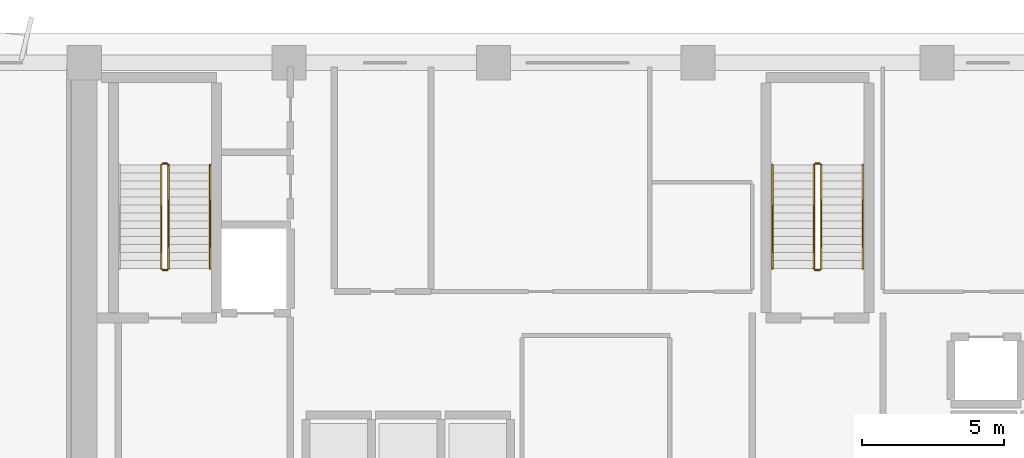
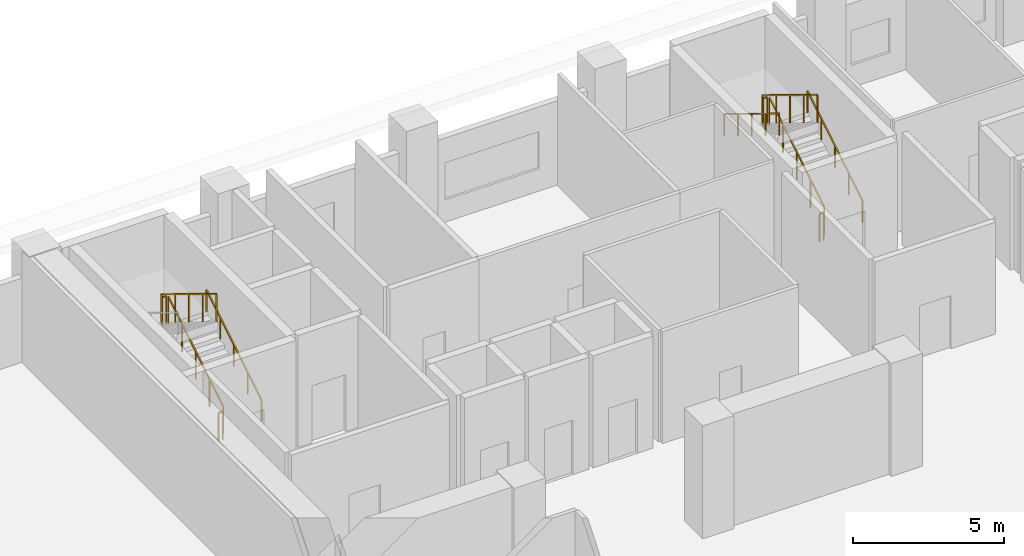
# One storey, part 35 of 37: 11 railings.
"""IFC4 building model written with IfcOpenShell, lengths in metres."""

from ifc_helpers import new_model, si_unit, direction, frame, origin, origin_2d, place, context, subcontext, project, spatial, rectangle, extrude, material, type_object, element, save


model = new_model("IFC4")

# Units and contexts
model_context = context("Model", 3, precision=1e-05, world=origin(), true_north=direction((0.0, 1.0)))
body_context = subcontext(model_context, "Body", "Model", "MODEL_VIEW")
ifc_project = project(units=[si_unit("LENGTHUNIT", "METRE"), si_unit("AREAUNIT", "SQUARE_METRE"), si_unit("VOLUMEUNIT", "CUBIC_METRE"), si_unit("PLANEANGLEUNIT", "RADIAN"), si_unit("MASSUNIT", "GRAM", prefix="KILO")], contexts=[model_context])

# Site, building, storey
site_placement = place(None, origin())
site = spatial("IfcSite", under=ifc_project, at=site_placement, CompositionType="ELEMENT")
building_placement = place(site_placement, origin())
building = spatial("IfcBuilding", under=site, at=building_placement, Name="Kaelvorn Grand Hotel", CompositionType="ELEMENT")
storey_placement = place(building_placement, frame((0.0, 0.0, 224.35009765625)))
storey = spatial("IfcBuildingStorey", under=building, at=storey_placement, Name="L55", CompositionType="ELEMENT", Elevation=224.35009765625)

# Railings
ifc_material = material(Name="Stainless Steel", Category="steel")
railing_type_1 = type_object("IfcRailingType", Name="RL-HANDRAIL-900", PredefinedType="HANDRAIL", material=ifc_material)
for number, where, name in (
    (1, (20.6298828125, 41.760009765625, 0.17138671875), "L55 ST1 stair handrail 1"),
    (2, (43.590087890625, 41.760009765625, 0.17138671875), "L55 ST2 stair handrail 1"),
):
    element("IfcRailing", number, at=place(storey_placement, frame(where)), inside=storey, type_object=railing_type_1, Name=name, PredefinedType="HANDRAIL", context=body_context, shape_type="SweptSolid", body=[
        extrude(rectangle(XDim=0.048095703125, YDim=0.048095703125, at=origin_2d()), frame((0.0, 0.0, 0.8759765625), z_axis=(0.0, 0.852850264322, 0.5221555579), x_axis=(-1.0, 0.0, 0.0)), (0.0, 0.0, 1.0), 4.267822265625),
        extrude(rectangle(XDim=0.0419921875, YDim=0.0419921875, at=origin_2d()), origin(), (0.0, 0.0, 1.0), 0.851806640625),
        extrude(rectangle(XDim=0.0419921875, YDim=0.0419921875, at=origin_2d()), frame((0.0, 0.909912109375, 0.55712890625)), (0.0, 0.0, 1.0), 0.851806640625),
        extrude(rectangle(XDim=0.0419921875, YDim=0.0419921875, at=origin_2d()), frame((0.0, 1.81982421875, 1.1142578125)), (0.0, 0.0, 1.0), 0.851806640625),
        extrude(rectangle(XDim=0.0419921875, YDim=0.0419921875, at=origin_2d()), frame((0.0, 2.72998046875, 1.67138671875)), (0.0, 0.0, 1.0), 0.851806640625),
        extrude(rectangle(XDim=0.0419921875, YDim=0.0419921875, at=origin_2d()), frame((0.0, 3.639892578125, 2.228515625)), (0.0, 0.0, 1.0), 0.851806640625),
    ])
railing_1_placement = place(storey_placement, frame((40.409912109375, 45.39990234375, 2.5712890625)))
element("IfcRailing", 3, at=railing_1_placement, inside=storey, type_object=railing_type_1, Name="L55 ST2 stair handrail 2", PredefinedType="HANDRAIL", context=body_context, shape_type="SweptSolid", body=[
    extrude(rectangle(XDim=0.048095703125, YDim=0.048095703125, at=origin_2d()), frame((0.0, 0.0, 0.8759765625), z_axis=(0.0, -0.852850264322, 0.5221555579), x_axis=(1.0, 0.0, 0.0)), (0.0, 0.0, 1.0), 4.267822265625),
    extrude(rectangle(XDim=0.0419921875, YDim=0.0419921875, at=origin_2d()), origin(), (0.0, 0.0, 1.0), 0.851806640625),
    extrude(rectangle(XDim=0.0419921875, YDim=0.0419921875, at=origin_2d()), frame((0.0, -0.909912109375, 0.55712890625)), (0.0, 0.0, 1.0), 0.851806640625),
    extrude(rectangle(XDim=0.0419921875, YDim=0.0419921875, at=origin_2d()), frame((0.0, -1.81982421875, 1.1142578125)), (0.0, 0.0, 1.0), 0.851806640625),
    extrude(rectangle(XDim=0.0419921875, YDim=0.0419921875, at=origin_2d()), frame((0.0, -2.72998046875, 1.67138671875)), (0.0, 0.0, 1.0), 0.851806640625),
    extrude(rectangle(XDim=0.0419921875, YDim=0.0419921875, at=origin_2d()), frame((0.0, -3.639892578125, 2.228515625)), (0.0, 0.0, 1.0), 0.851806640625),
])
railing_type_2 = type_object("IfcRailingType", Name="RL-STAIR-GUARD-1150", PredefinedType="BALUSTRADE", material=ifc_material)
railing_2_placement = place(storey_placement, frame((19.169921875, 41.760009765625, 0.17138671875)))
element("IfcRailing", 4, at=railing_2_placement, inside=storey, type_object=railing_type_2, Name="L55 ST1 stair guard 1", PredefinedType="BALUSTRADE", context=body_context, shape_type="SweptSolid", body=[
    extrude(rectangle(XDim=0.048095703125, YDim=0.048095703125, at=origin_2d()), frame((0.0, 0.0, 1.1259765625), z_axis=(0.0, 0.852850264322, 0.5221555579), x_axis=(-1.0, 0.0, 0.0)), (0.0, 0.0, 1.0), 4.267822265625),
    extrude(rectangle(XDim=0.0419921875, YDim=0.0419921875, at=origin_2d()), origin(), (0.0, 0.0, 1.0), 1.101806640625),
    extrude(rectangle(XDim=0.0419921875, YDim=0.0419921875, at=origin_2d()), frame((0.0, 0.909912109375, 0.55712890625)), (0.0, 0.0, 1.0), 1.101806640625),
    extrude(rectangle(XDim=0.0419921875, YDim=0.0419921875, at=origin_2d()), frame((0.0, 1.81982421875, 1.1142578125)), (0.0, 0.0, 1.0), 1.101806640625),
    extrude(rectangle(XDim=0.0419921875, YDim=0.0419921875, at=origin_2d()), frame((0.0, 2.72998046875, 1.67138671875)), (0.0, 0.0, 1.0), 1.101806640625),
    extrude(rectangle(XDim=0.0419921875, YDim=0.0419921875, at=origin_2d()), frame((0.0, 3.639892578125, 2.228515625)), (0.0, 0.0, 1.0), 1.101806640625),
])
railing_3_placement = place(storey_placement, frame((19.1201171875, 45.449951171875, 2.39990234375)))
element("IfcRailing", 5, at=railing_3_placement, inside=storey, type_object=railing_type_2, Name="L55 ST1 stair guard 2", PredefinedType="BALUSTRADE", context=body_context, shape_type="SweptSolid", body=[
    extrude(rectangle(XDim=0.048095703125, YDim=0.048095703125, at=origin_2d()), frame((0.0, 0.0, 1.1259765625), z_axis=(-1.0, 0.0, 0.0), x_axis=(0.0, -1.0, 0.0)), (0.0, 0.0, 1.0), 0.16015625),
    extrude(rectangle(XDim=0.0419921875, YDim=0.0419921875, at=origin_2d()), origin(), (0.0, 0.0, 1.0), 1.101806640625),
    extrude(rectangle(XDim=0.0419921875, YDim=0.0419921875, at=origin_2d()), frame((-0.16015625, 0.0, 0.0)), (0.0, 0.0, 1.0), 1.101806640625),
])
railing_4_placement = place(storey_placement, frame((18.909912109375, 45.39990234375, 2.5712890625)))
element("IfcRailing", 6, at=railing_4_placement, inside=storey, type_object=railing_type_2, Name="L55 ST1 stair guard 3", PredefinedType="BALUSTRADE", context=body_context, shape_type="SweptSolid", body=[
    extrude(rectangle(XDim=0.048095703125, YDim=0.048095703125, at=origin_2d()), frame((0.0, 0.0, 1.1259765625), z_axis=(0.0, -0.852850264322, 0.5221555579), x_axis=(1.0, 0.0, 0.0)), (0.0, 0.0, 1.0), 4.267822265625),
    extrude(rectangle(XDim=0.0419921875, YDim=0.0419921875, at=origin_2d()), origin(), (0.0, 0.0, 1.0), 1.101806640625),
    extrude(rectangle(XDim=0.0419921875, YDim=0.0419921875, at=origin_2d()), frame((0.0, -0.909912109375, 0.55712890625)), (0.0, 0.0, 1.0), 1.101806640625),
    extrude(rectangle(XDim=0.0419921875, YDim=0.0419921875, at=origin_2d()), frame((0.0, -1.81982421875, 1.1142578125)), (0.0, 0.0, 1.0), 1.101806640625),
    extrude(rectangle(XDim=0.0419921875, YDim=0.0419921875, at=origin_2d()), frame((0.0, -2.72998046875, 1.67138671875)), (0.0, 0.0, 1.0), 1.101806640625),
    extrude(rectangle(XDim=0.0419921875, YDim=0.0419921875, at=origin_2d()), frame((0.0, -3.639892578125, 2.228515625)), (0.0, 0.0, 1.0), 1.101806640625),
])
railing_5_placement = place(storey_placement, frame((19.1201171875, 41.7099609375, 0.0)))
element("IfcRailing", 7, at=railing_5_placement, inside=storey, type_object=railing_type_2, Name="L55 ST1 stair guard 4", PredefinedType="BALUSTRADE", context=body_context, shape_type="SweptSolid", body=[
    extrude(rectangle(XDim=0.048095703125, YDim=0.048095703125, at=origin_2d()), frame((0.0, 0.0, 1.1259765625), z_axis=(-1.0, 0.0, 0.0), x_axis=(0.0, -1.0, 0.0)), (0.0, 0.0, 1.0), 0.16015625),
    extrude(rectangle(XDim=0.0419921875, YDim=0.0419921875, at=origin_2d()), origin(), (0.0, 0.0, 1.0), 1.101806640625),
    extrude(rectangle(XDim=0.0419921875, YDim=0.0419921875, at=origin_2d()), frame((-0.16015625, 0.0, 0.0)), (0.0, 0.0, 1.0), 1.101806640625),
])
railing_6_placement = place(storey_placement, frame((42.1298828125, 41.760009765625, 0.17138671875)))
element("IfcRailing", 8, at=railing_6_placement, inside=storey, type_object=railing_type_2, Name="L55 ST2 stair guard 1", PredefinedType="BALUSTRADE", context=body_context, shape_type="SweptSolid", body=[
    extrude(rectangle(XDim=0.048095703125, YDim=0.048095703125, at=origin_2d()), frame((0.0, 0.0, 1.1259765625), z_axis=(0.0, 0.852850264322, 0.5221555579), x_axis=(-1.0, 0.0, 0.0)), (0.0, 0.0, 1.0), 4.267822265625),
    extrude(rectangle(XDim=0.0419921875, YDim=0.0419921875, at=origin_2d()), origin(), (0.0, 0.0, 1.0), 1.101806640625),
    extrude(rectangle(XDim=0.0419921875, YDim=0.0419921875, at=origin_2d()), frame((0.0, 0.909912109375, 0.55712890625)), (0.0, 0.0, 1.0), 1.101806640625),
    extrude(rectangle(XDim=0.0419921875, YDim=0.0419921875, at=origin_2d()), frame((0.0, 1.81982421875, 1.1142578125)), (0.0, 0.0, 1.0), 1.101806640625),
    extrude(rectangle(XDim=0.0419921875, YDim=0.0419921875, at=origin_2d()), frame((0.0, 2.72998046875, 1.67138671875)), (0.0, 0.0, 1.0), 1.101806640625),
    extrude(rectangle(XDim=0.0419921875, YDim=0.0419921875, at=origin_2d()), frame((0.0, 3.639892578125, 2.228515625)), (0.0, 0.0, 1.0), 1.101806640625),
])
railing_7_placement = place(storey_placement, frame((42.080078125, 45.449951171875, 2.39990234375)))
element("IfcRailing", 9, at=railing_7_placement, inside=storey, type_object=railing_type_2, Name="L55 ST2 stair guard 2", PredefinedType="BALUSTRADE", context=body_context, shape_type="SweptSolid", body=[
    extrude(rectangle(XDim=0.048095703125, YDim=0.048095703125, at=origin_2d()), frame((0.0, 0.0, 1.1259765625), z_axis=(-1.0, 0.0, 0.0), x_axis=(0.0, -1.0, 0.0)), (0.0, 0.0, 1.0), 0.16015625),
    extrude(rectangle(XDim=0.0419921875, YDim=0.0419921875, at=origin_2d()), origin(), (0.0, 0.0, 1.0), 1.101806640625),
    extrude(rectangle(XDim=0.0419921875, YDim=0.0419921875, at=origin_2d()), frame((-0.16015625, 0.0, 0.0)), (0.0, 0.0, 1.0), 1.101806640625),
])
railing_8_placement = place(storey_placement, frame((41.8701171875, 45.39990234375, 2.5712890625)))
element("IfcRailing", 10, at=railing_8_placement, inside=storey, type_object=railing_type_2, Name="L55 ST2 stair guard 3", PredefinedType="BALUSTRADE", context=body_context, shape_type="SweptSolid", body=[
    extrude(rectangle(XDim=0.048095703125, YDim=0.048095703125, at=origin_2d()), frame((0.0, 0.0, 1.1259765625), z_axis=(0.0, -0.852850264322, 0.5221555579), x_axis=(1.0, 0.0, 0.0)), (0.0, 0.0, 1.0), 4.267822265625),
    extrude(rectangle(XDim=0.0419921875, YDim=0.0419921875, at=origin_2d()), origin(), (0.0, 0.0, 1.0), 1.101806640625),
    extrude(rectangle(XDim=0.0419921875, YDim=0.0419921875, at=origin_2d()), frame((0.0, -0.909912109375, 0.55712890625)), (0.0, 0.0, 1.0), 1.101806640625),
    extrude(rectangle(XDim=0.0419921875, YDim=0.0419921875, at=origin_2d()), frame((0.0, -1.81982421875, 1.1142578125)), (0.0, 0.0, 1.0), 1.101806640625),
    extrude(rectangle(XDim=0.0419921875, YDim=0.0419921875, at=origin_2d()), frame((0.0, -2.72998046875, 1.67138671875)), (0.0, 0.0, 1.0), 1.101806640625),
    extrude(rectangle(XDim=0.0419921875, YDim=0.0419921875, at=origin_2d()), frame((0.0, -3.639892578125, 2.228515625)), (0.0, 0.0, 1.0), 1.101806640625),
])
railing_9_placement = place(storey_placement, frame((42.080078125, 41.7099609375, 0.0)))
element("IfcRailing", 11, at=railing_9_placement, inside=storey, type_object=railing_type_2, Name="L55 ST2 stair guard 4", PredefinedType="BALUSTRADE", context=body_context, shape_type="SweptSolid", body=[
    extrude(rectangle(XDim=0.048095703125, YDim=0.048095703125, at=origin_2d()), frame((0.0, 0.0, 1.1259765625), z_axis=(-1.0, 0.0, 0.0), x_axis=(0.0, -1.0, 0.0)), (0.0, 0.0, 1.0), 0.16015625),
    extrude(rectangle(XDim=0.0419921875, YDim=0.0419921875, at=origin_2d()), origin(), (0.0, 0.0, 1.0), 1.101806640625),
    extrude(rectangle(XDim=0.0419921875, YDim=0.0419921875, at=origin_2d()), frame((-0.16015625, 0.0, 0.0)), (0.0, 0.0, 1.0), 1.101806640625),
])

save(model, "model.ifc")
